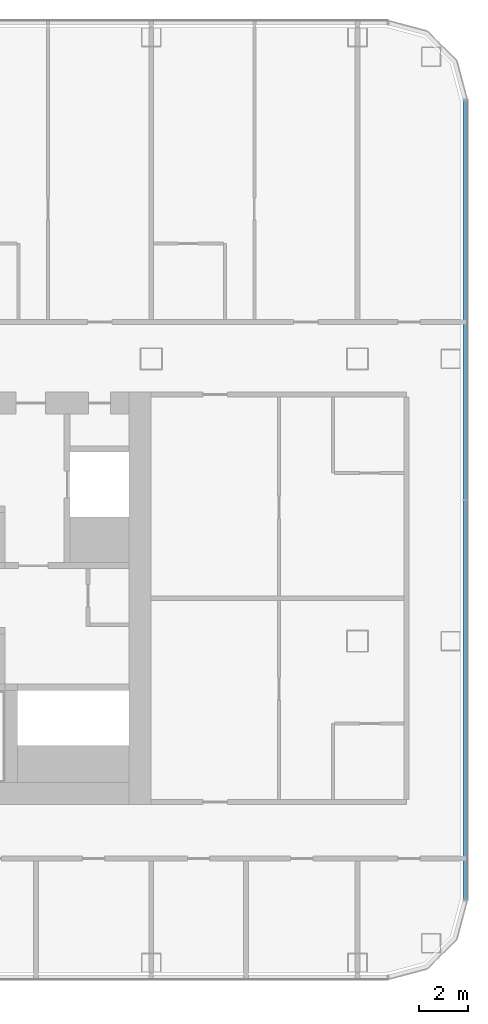
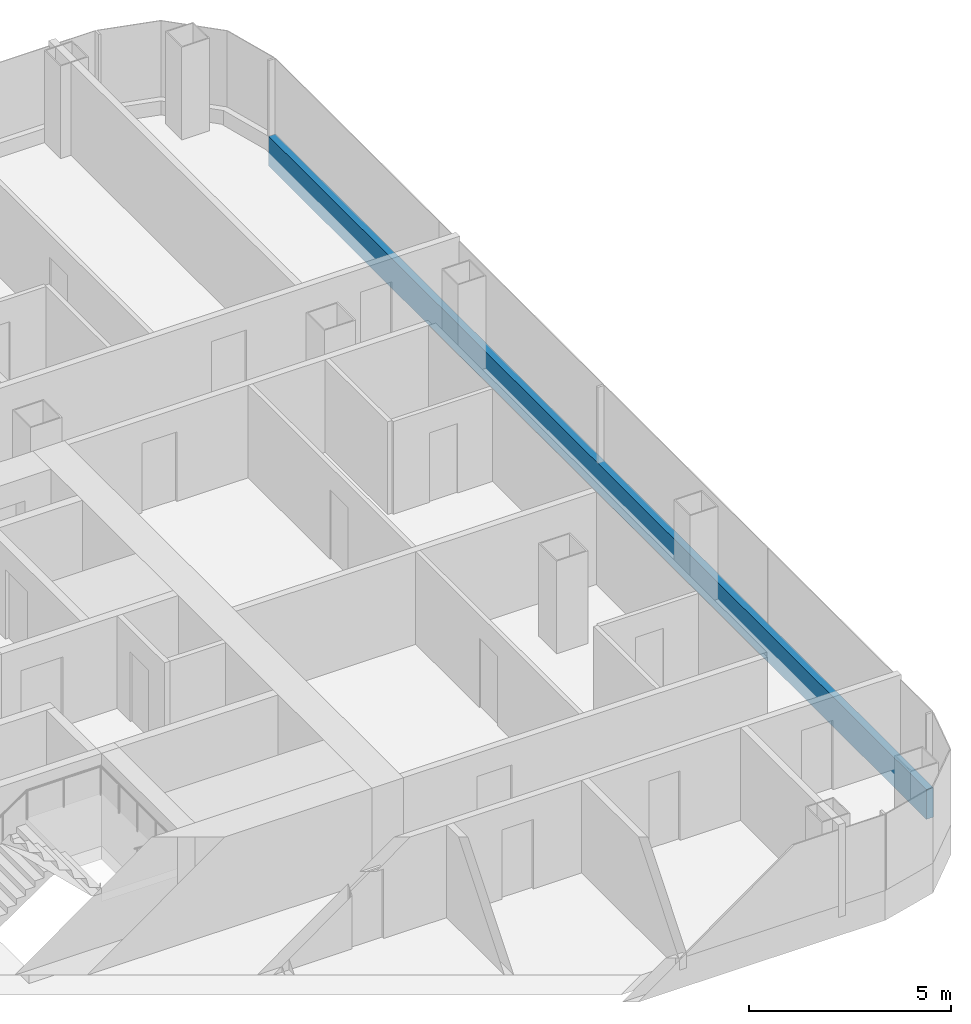
# One storey, part 12 of 29: 1 member, 1 element without a shape of its own.
"""IFC4 building model written with IfcOpenShell, lengths in metres."""

import ifcopenshell
import ifcopenshell.guid

model = None  # the IFC model being written
_history = None  # IfcOwnerHistory: only IFC2X3 demands one
_inside = {}  # id of a spatial element -> (the spatial element, [elements in it])
_under = {}  # id of a project, library or spatial element -> (it, [spatial elements below it])
_declared = {}  # id of a project -> (the project, [libraries it declares])
_typed = {}  # id of a type object -> (the type object, [elements of that type])
_made_of = {}  # id of a material, layer set ... -> (it, [elements and type objects made of it])


def new_model(schema):
    """Start an empty IFC model of exactly this schema.

    Asked for "IFC4X3", IfcOpenShell would pick the latest addendum, in which some entities
    have other attributes; the version numbers below select the first issue.
    IFC2X3 requires an IfcOwnerHistory on every rooted entity: one is made here for all.
    """
    global model, _history
    if schema == "IFC4X3":
        model = ifcopenshell.file(schema_version=(4, 3, 0, 0))
    else:
        model = ifcopenshell.file(schema=schema)
    _inside.clear()
    _under.clear()
    _declared.clear()
    _typed.clear()
    _made_of.clear()
    _history = None
    if model.schema == "IFC2X3":
        org = make("IfcOrganization", Name="unknown")
        user = make(
            "IfcPersonAndOrganization",
            ThePerson=make("IfcPerson", FamilyName="unknown"),
            TheOrganization=org,
        )
        app = make(
            "IfcApplication",
            ApplicationDeveloper=org,
            Version="unknown",
            ApplicationFullName="unknown",
            ApplicationIdentifier="unknown",
        )
        _history = make(
            "IfcOwnerHistory",
            OwningUser=user,
            OwningApplication=app,
            ChangeAction="ADDED",
            CreationDate=0,
        )
    return model


def make(cls, **values):
    """One entity of the class cls with the attributes given. An attribute that is None is left unset."""
    return model.create_entity(
        cls, **{name: value for name, value in values.items() if value is not None}
    )


def rooted(cls, **values):
    """An entity with a GlobalId (a new one), such as an element, a storey or a relation."""
    return make(cls, GlobalId=ifcopenshell.guid.new(), OwnerHistory=_history, **values)


def si_unit(unit_type, name, prefix=None):
    """IfcSIUnit, for example si_unit("LENGTHUNIT", "METRE", prefix="MILLI")."""
    return make("IfcSIUnit", UnitType=unit_type, Prefix=prefix, Name=name)


def assignment(units):
    """IfcUnitAssignment: the units of a project."""
    return None if units is None else make("IfcUnitAssignment", Units=units)


def point(xyz):
    """IfcCartesianPoint."""
    return None if xyz is None else make("IfcCartesianPoint", Coordinates=xyz)


def direction(xyz):
    """IfcDirection."""
    return None if xyz is None else make("IfcDirection", DirectionRatios=xyz)


def frame(location, z_axis=None, x_axis=None):
    """IfcAxis2Placement3D, a coordinate frame: its origin and axes. An axis left out is left unset."""
    return make(
        "IfcAxis2Placement3D",
        Location=point(location),
        Axis=direction(z_axis),
        RefDirection=direction(x_axis),
    )


def frame_2d(location, x_axis=None):
    """IfcAxis2Placement2D, a coordinate frame in the plane: its origin and x axis."""
    return make(
        "IfcAxis2Placement2D", Location=point(location), RefDirection=direction(x_axis)
    )


def origin():
    """The frame at (0, 0, 0) with its axes left unset."""
    return frame((0.0, 0.0, 0.0))


def origin_2d():
    """The frame at (0, 0) in the plane with its x axis left unset."""
    return frame_2d((0.0, 0.0))


def place(relative_to, where):
    """IfcLocalPlacement: puts the frame where relative to a parent placement (None: the world)."""
    return make(
        "IfcLocalPlacement", PlacementRelTo=relative_to, RelativePlacement=where
    )


def context(
    kind, dimensions, precision=None, world=None, true_north=None, identifier=None
):
    """IfcGeometricRepresentationContext, for example the 3D "Model" context."""
    return make(
        "IfcGeometricRepresentationContext",
        ContextIdentifier=identifier,
        ContextType=kind,
        CoordinateSpaceDimension=dimensions,
        Precision=precision,
        WorldCoordinateSystem=world,
        TrueNorth=true_north,
    )


def subcontext(parent, identifier, kind, view, scale=None):
    """IfcGeometricRepresentationSubContext, for example "Body" below "Model"."""
    return make(
        "IfcGeometricRepresentationSubContext",
        ContextIdentifier=identifier,
        ContextType=kind,
        ParentContext=parent,
        TargetScale=scale,
        TargetView=view,
    )


def project(units=None, contexts=None):
    """IfcProject with its units and contexts."""
    return rooted(
        "IfcProject",
        Name="project",
        RepresentationContexts=contexts,
        UnitsInContext=assignment(units),
    )


def spatial(cls, under=None, at=None, **own):
    """A site, building, storey or space (cls), placed at a placement, below another one or the project."""
    s = rooted(cls, ObjectPlacement=at, **own)
    if under is not None:
        _under.setdefault(under.id(), (under, []))[1].append(s)
    return s


def profile(cls, at=None, kind="AREA", **sizes):
    """A parametric profile (cls). Its sizes go by their IFC names, for example OverallWidth=200.0."""
    return make(cls, ProfileType=kind, Position=at, **sizes)


def rectangle(**sizes):
    """IfcRectangleProfileDef."""
    return profile("IfcRectangleProfileDef", **sizes)


def extrude(swept, where, along, depth):
    """IfcExtrudedAreaSolid: the profile swept, set in the frame where, extruded along a direction by depth."""
    return make(
        "IfcExtrudedAreaSolid",
        SweptArea=swept,
        Position=where,
        ExtrudedDirection=direction(along),
        Depth=depth,
    )


def shape(context_of_items, identifier, shape_type, items):
    """IfcShapeRepresentation: the items that make up one representation, for example the "Body"."""
    return make(
        "IfcShapeRepresentation",
        ContextOfItems=context_of_items,
        RepresentationIdentifier=identifier,
        RepresentationType=shape_type,
        Items=items,
    )


def material(Name=None, Category=None):
    """IfcMaterial."""
    return make("IfcMaterial", Name=Name, Category=Category)


def layer(
    of_material, thickness, ventilated=None, Name=None, Category=None, Priority=None
):
    """IfcMaterialLayer: one layer of a wall or slab, of a material (None: an air gap)."""
    return make(
        "IfcMaterialLayer",
        Material=of_material,
        LayerThickness=thickness,
        IsVentilated=ventilated,
        Name=Name,
        Category=Category,
        Priority=Priority,
    )


def layer_set(layers, Name=None):
    """IfcMaterialLayerSet."""
    return make("IfcMaterialLayerSet", MaterialLayers=layers, LayerSetName=Name)


def material_profile(
    of_material, cross_section, Name=None, Category=None, Priority=None
):
    """IfcMaterialProfile: a cross section and its material."""
    return make(
        "IfcMaterialProfile",
        Name=Name,
        Material=of_material,
        Profile=cross_section,
        Priority=Priority,
        Category=Category,
    )


def profile_set(profiles, Name=None, composite=None):
    """IfcMaterialProfileSet."""
    return make(
        "IfcMaterialProfileSet",
        Name=Name,
        MaterialProfiles=profiles,
        CompositeProfile=composite,
    )


def made_of(thing, what):
    """Note that an element or type object is made of a material, layer set ...; save() writes the relation."""
    if what is not None:
        _made_of.setdefault(what.id(), (what, []))[1].append(thing)
    return thing


def type_object(cls, material=None, **own):
    """A type object (cls), such as IfcWallType, which elements share."""
    return made_of(rooted(cls, **own), material)


def element(
    cls,
    number,
    at=None,
    inside=None,
    cuts=None,
    type_object=None,
    material=None,
    context=None,
    identifier="Body",
    shape_type=None,
    held_by="IfcProductDefinitionShape",
    body=None,
    shapes=None,
    **own,
):
    """One element of the class cls, such as IfcWall. Its Tag is "e" and its number.

    at: its placement. inside: the storey or other place that contains it. cuts: it is an
    opening in that element (IfcRelVoidsElement). A single representation is given by context,
    identifier, shape_type and body (its items); several are given by shapes. held_by: the class
    of the entity that holds the representations. save() writes the other relations.
    """
    e = rooted(cls, Tag="e%d" % number, ObjectPlacement=at, **own)
    if body is not None:
        shapes = [shape(context, identifier, shape_type, body)]
    if shapes is not None:
        e.Representation = make(held_by, Representations=shapes)
    if inside is not None:
        _inside.setdefault(inside.id(), (inside, []))[1].append(e)
    if cuts is not None:
        rooted(
            "IfcRelVoidsElement", RelatingBuildingElement=cuts, RelatedOpeningElement=e
        )
    if type_object is not None:
        _typed.setdefault(type_object.id(), (type_object, []))[1].append(e)
    return made_of(e, material)


def aggregate(whole, parts):
    """IfcRelAggregates: a whole, such as a stair, and the parts it consists of."""
    return rooted("IfcRelAggregates", RelatingObject=whole, RelatedObjects=parts)


def save(model, path):
    """Write the relations noted so far, then the file.

    IfcRelAggregates (storeys below a building ...), IfcRelContainedInSpatialStructure (elements
    in a storey), IfcRelDefinesByType, IfcRelAssociatesMaterial and IfcRelDeclares: one each for
    every whole, place, type object, material and project.
    """
    for whole, parts in _under.values():
        aggregate(whole, parts)
    for where, things in _inside.values():
        rooted(
            "IfcRelContainedInSpatialStructure",
            RelatedElements=things,
            RelatingStructure=where,
        )
    for kind, things in _typed.values():
        rooted("IfcRelDefinesByType", RelatedObjects=things, RelatingType=kind)
    for what, things in _made_of.values():
        rooted("IfcRelAssociatesMaterial", RelatedObjects=things, RelatingMaterial=what)
    for by, libraries in _declared.values():
        rooted("IfcRelDeclares", RelatingContext=by, RelatedDefinitions=libraries)
    model.write(path)


model = new_model("IFC4")

# Units and contexts
model_context = context("Model", 3, precision=1e-05, world=origin(), true_north=direction((0.0, 1.0)))
body_context = subcontext(model_context, "Body", "Model", "MODEL_VIEW")
ifc_project = project(units=[si_unit("LENGTHUNIT", "METRE"), si_unit("AREAUNIT", "SQUARE_METRE"), si_unit("VOLUMEUNIT", "CUBIC_METRE"), si_unit("PLANEANGLEUNIT", "RADIAN"), si_unit("MASSUNIT", "GRAM", prefix="KILO")], contexts=[model_context])

# Site, building, storey
site_placement = place(None, origin())
site = spatial("IfcSite", under=ifc_project, at=site_placement, CompositionType="ELEMENT")
building_placement = place(site_placement, origin())
building = spatial("IfcBuilding", under=site, at=building_placement, Name="Hakoniwa Tower and Hamabe Station Hall", CompositionType="ELEMENT")
storey_placement = place(building_placement, frame((0.0, 0.0, 88.199951171875)))
storey = spatial("IfcBuildingStorey", under=building, at=storey_placement, Name="L24", CompositionType="ELEMENT", Elevation=88.199951171875)

# Curtain wall, member
ifc_material_1 = material(Name="Dark low-e laminated glass", Category="glass")
ifc_layer = layer(ifc_material_1, 0.199951171875)
ifc_layer_set = layer_set([ifc_layer], Name="CW-1 UNITISED GUEST")
curtain_wall_type = type_object("IfcCurtainWallType", Name="CW-1 UNITISED GUEST", PredefinedType="NOTDEFINED", material=ifc_layer_set)
curtain_wall_placement = place(storey_placement, origin())
curtain_wall = element("IfcCurtainWall", 1, at=curtain_wall_placement, inside=storey, type_object=curtain_wall_type, Name="CW-1 curtain wall", PredefinedType="NOTDEFINED")
ifc_material_2 = material(Name="Aluminium 6063-T5 black anodised", Category="aluminium")
ifc_material_profile = material_profile(ifc_material_2, rectangle(XDim=0.199951171875, YDim=0.89990234375, at=origin_2d()), Name="CW SLAB-EDGE BAND 900X200")
ifc_profile_set = profile_set([ifc_material_profile], Name="Aluminium 6063-T5 black anodised")
member_type = type_object("IfcMemberType", Name="CW SLAB-EDGE BAND 900X200", PredefinedType="USERDEFINED", material=ifc_profile_set)
member_placement = place(storey_placement, frame((46.39990234375, -12.28955078125, -0.099853515625), z_axis=(0.0, 1.0, 0.0), x_axis=(-1.0, 0.0, 0.0)))
member = element("IfcMember", 2, at=member_placement, type_object=member_type, Name="CW-1 transom", ObjectType="TRANSOM", PredefinedType="USERDEFINED", context=body_context, shape_type="SweptSolid", body=[
    extrude(rectangle(XDim=0.199951171875, YDim=0.89990234375, at=origin_2d()), origin(), (0.0, 0.0, 1.0), 32.5791015625),
])
aggregate(curtain_wall, [member])

save(model, "model.ifc")
